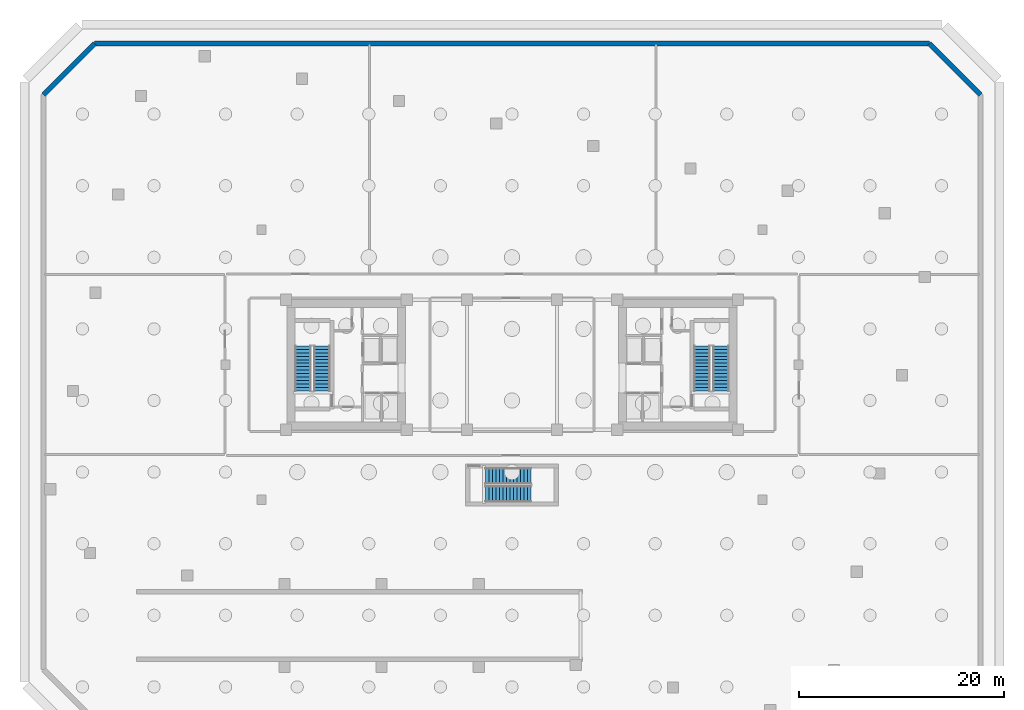
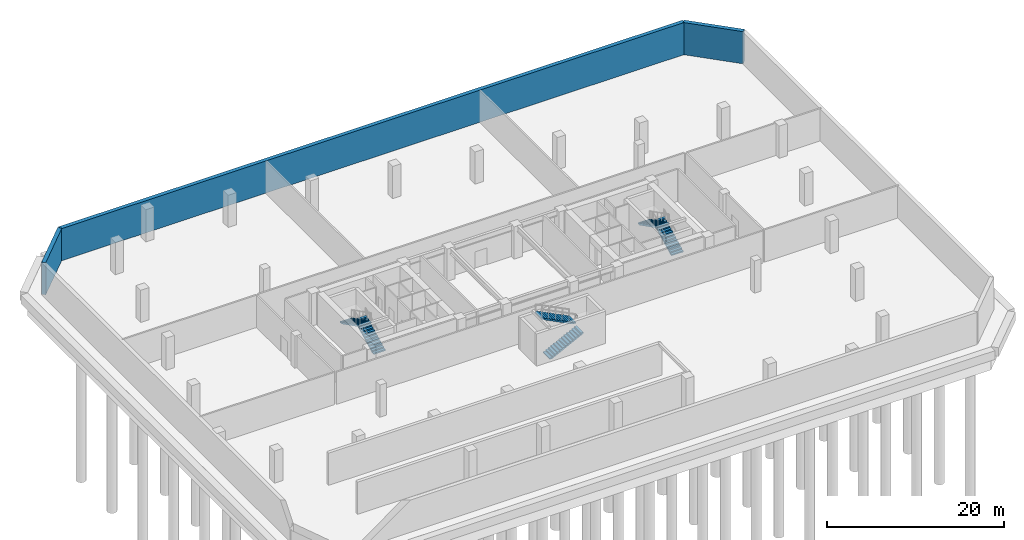
# One storey, part 7 of 10: 6 stair flights, 3 walls, 3 elements without a shape of their own.
"""IFC4 building model written with IfcOpenShell, lengths in metres."""

from ifc_helpers import new_model, si_unit, direction, frame, frame_2d, origin, place, context, subcontext, project, spatial, polyline, rectangle, outline, extrude, material, layer, layer_set, type_object, element, aggregate, save


model = new_model("IFC4")

# Units and contexts
model_context = context("Model", 3, precision=1e-05, world=origin(), true_north=direction((0.0, 1.0)))
body_context = subcontext(model_context, "Body", "Model", "MODEL_VIEW")
ifc_project = project(units=[si_unit("LENGTHUNIT", "METRE"), si_unit("AREAUNIT", "SQUARE_METRE"), si_unit("VOLUMEUNIT", "CUBIC_METRE"), si_unit("PLANEANGLEUNIT", "RADIAN"), si_unit("MASSUNIT", "GRAM", prefix="KILO")], contexts=[model_context])

# Site, building, storey
site_placement = place(None, origin())
site = spatial("IfcSite", under=ifc_project, at=site_placement, CompositionType="ELEMENT")
building_placement = place(site_placement, origin())
building = spatial("IfcBuilding", under=site, at=building_placement, Name="Tavrogorsk Clinical Tower", CompositionType="ELEMENT")
storey_placement = place(building_placement, frame((0.0, 0.0, -10.199951171875)))
storey = spatial("IfcBuildingStorey", under=building, at=storey_placement, Name="B2", CompositionType="ELEMENT", Elevation=-10.199951171875)

# Walls
ifc_material_1 = material(Name="Concrete B60", Category="concrete")
ifc_layer = layer(ifc_material_1, 0.5)
ifc_layer_set = layer_set([ifc_layer], Name="Concrete B60")
wall_type = type_object("IfcWallType", Name="ShearWall_500", PredefinedType="SHEAR", material=ifc_layer_set)
wall_1_placement = place(storey_placement, frame((45.800048828125, 26.39990234375, 0.0), z_axis=(0.0, 0.0, 1.0), x_axis=(-0.707106781187, 0.707106781187, 0.0)))
element("IfcWall", 1, at=wall_1_placement, inside=storey, type_object=wall_type, Name="B2 Retaining Wall 4", PredefinedType="SHEAR", context=body_context, shape_type="SweptSolid", body=[
    extrude(rectangle(XDim=7.071044921875, YDim=0.5, at=frame_2d((3.53564453125, 0.0))), origin(), (0.0, 0.0, 1.0), 4.449951171875),
])
wall_2_placement = place(storey_placement, frame((40.800048828125, 31.39990234375, 0.0), z_axis=(0.0, 0.0, 1.0), x_axis=(-1.0, 0.0, 0.0)))
element("IfcWall", 2, at=wall_2_placement, inside=storey, type_object=wall_type, Name="B2 Retaining Wall 5", PredefinedType="SHEAR", context=body_context, shape_type="SweptSolid", body=[
    extrude(rectangle(XDim=81.60009765625, YDim=0.5, at=frame_2d((40.800048828125, 0.0))), origin(), (0.0, 0.0, 1.0), 4.449951171875),
])
wall_3_placement = place(storey_placement, frame((-40.800048828125, 31.39990234375, 0.0), z_axis=(0.0, 0.0, 1.0), x_axis=(-0.707106781187, -0.707106781187, 0.0)))
element("IfcWall", 3, at=wall_3_placement, inside=storey, type_object=wall_type, Name="B2 Retaining Wall 6", PredefinedType="SHEAR", context=body_context, shape_type="SweptSolid", body=[
    extrude(rectangle(XDim=7.071044921875, YDim=0.5, at=frame_2d((3.53564453125, 0.0))), origin(), (0.0, 0.0, 1.0), 4.449951171875),
])

# Stair, stair flights
ifc_material_2 = material(Name="Concrete B60", Category="concrete")
stair_type = type_object("IfcStairType", Name="CoreStairAssembly", PredefinedType="HALF_TURN_STAIR", material=ifc_material_2)
stair_1_placement = place(storey_placement, origin())
stair_1 = element("IfcStair", 4, at=stair_1_placement, inside=storey, type_object=stair_type, Name="B2 ST-W", PredefinedType="HALF_TURN_STAIR")
ifc_material_3 = material(Name="Concrete B60", Category="concrete")
stair_flight_type = type_object("IfcStairFlightType", Name="CoreStairFlight", PredefinedType="STRAIGHT", material=ifc_material_3)
stair_flight_1_placement = place(storey_placement, frame((-18.574951171875, -2.574951171875, 0.0), z_axis=(0.0, 0.0, 1.0), x_axis=(0.0, 1.0, 0.0)))
stair_flight_1 = element("IfcStairFlight", 5, at=stair_flight_1_placement, type_object=stair_flight_type, Name="ST-W flight 1", NumberOfRisers=14, NumberOfTreads=13, PredefinedType="STRAIGHT", RiserHeight=0.171428571, TreadLength=0.34, context=body_context, shape_type="SweptSolid", body=[
    extrude(outline(polyline([(0.0, 0.0), (0.0, 0.17138671875), (0.340087890625, 0.17138671875), (0.340087890625, 0.3427734375), (0.679931640625, 0.3427734375), (0.679931640625, 0.514404296875), (1.02001953125, 0.514404296875), (1.02001953125, 0.685791015625), (1.360107421875, 0.685791015625), (1.360107421875, 0.857177734375), (1.699951171875, 0.857177734375), (1.699951171875, 1.028564453125), (2.0400390625, 1.028564453125), (2.0400390625, 1.199951171875), (2.3798828125, 1.199951171875), (2.3798828125, 1.371337890625), (2.719970703125, 1.371337890625), (2.719970703125, 1.54296875), (3.06005859375, 1.54296875), (3.06005859375, 1.71435546875), (3.39990234375, 1.71435546875), (3.39990234375, 1.8857421875), (3.739990234375, 1.8857421875), (3.739990234375, 2.05712890625), (4.080078125, 2.05712890625), (4.080078125, 2.228515625), (4.419921875, 2.228515625), (4.419921875, 2.39990234375), (4.419921875, 2.060791015625), (0.3330078125, 0.0), (0.0, 0.0)])), frame((0.0, 0.77490234375, 0.0), z_axis=(0.0, -1.0, 0.0), x_axis=(1.0, 0.0, 0.0)), (0.0, 0.0, 1.0), 1.550048828125),
])
stair_flight_2_placement = place(storey_placement, frame((-20.425048828125, 1.844970703125, 2.39990234375), z_axis=(0.0, 0.0, 1.0), x_axis=(0.0, -1.0, 0.0)))
stair_flight_2 = element("IfcStairFlight", 6, at=stair_flight_2_placement, type_object=stair_flight_type, Name="ST-W flight 2", NumberOfRisers=14, NumberOfTreads=13, PredefinedType="STRAIGHT", RiserHeight=0.171428571, TreadLength=0.34, context=body_context, shape_type="SweptSolid", body=[
    extrude(outline(polyline([(0.0, 0.0), (0.0, 0.17138671875), (0.340087890625, 0.17138671875), (0.340087890625, 0.3427734375), (0.679931640625, 0.3427734375), (0.679931640625, 0.514404296875), (1.02001953125, 0.514404296875), (1.02001953125, 0.685791015625), (1.360107421875, 0.685791015625), (1.360107421875, 0.857177734375), (1.699951171875, 0.857177734375), (1.699951171875, 1.028564453125), (2.0400390625, 1.028564453125), (2.0400390625, 1.199951171875), (2.3798828125, 1.199951171875), (2.3798828125, 1.371337890625), (2.719970703125, 1.371337890625), (2.719970703125, 1.54296875), (3.06005859375, 1.54296875), (3.06005859375, 1.71435546875), (3.39990234375, 1.71435546875), (3.39990234375, 1.8857421875), (3.739990234375, 1.8857421875), (3.739990234375, 2.05712890625), (4.080078125, 2.05712890625), (4.080078125, 2.228515625), (4.419921875, 2.228515625), (4.419921875, 2.39990234375), (4.419921875, 2.060791015625), (0.3330078125, 0.0), (0.0, 0.0)])), frame((0.0, 0.77490234375, 0.0), z_axis=(0.0, -1.0, 0.0), x_axis=(1.0, 0.0, 0.0)), (0.0, 0.0, 1.0), 1.550048828125),
])
aggregate(stair_1, [stair_flight_1, stair_flight_2])

stair_2_placement = place(storey_placement, origin())
stair_2 = element("IfcStair", 7, at=stair_2_placement, inside=storey, type_object=stair_type, Name="B2 ST-E", PredefinedType="HALF_TURN_STAIR")
stair_flight_3_placement = place(storey_placement, frame((20.425048828125, -2.574951171875, 0.0), z_axis=(0.0, 0.0, 1.0), x_axis=(0.0, 1.0, 0.0)))
stair_flight_3 = element("IfcStairFlight", 8, at=stair_flight_3_placement, type_object=stair_flight_type, Name="ST-E flight 1", NumberOfRisers=14, NumberOfTreads=13, PredefinedType="STRAIGHT", RiserHeight=0.171428571, TreadLength=0.34, context=body_context, shape_type="SweptSolid", body=[
    extrude(outline(polyline([(0.0, 0.0), (0.0, 0.17138671875), (0.340087890625, 0.17138671875), (0.340087890625, 0.3427734375), (0.679931640625, 0.3427734375), (0.679931640625, 0.514404296875), (1.02001953125, 0.514404296875), (1.02001953125, 0.685791015625), (1.360107421875, 0.685791015625), (1.360107421875, 0.857177734375), (1.699951171875, 0.857177734375), (1.699951171875, 1.028564453125), (2.0400390625, 1.028564453125), (2.0400390625, 1.199951171875), (2.3798828125, 1.199951171875), (2.3798828125, 1.371337890625), (2.719970703125, 1.371337890625), (2.719970703125, 1.54296875), (3.06005859375, 1.54296875), (3.06005859375, 1.71435546875), (3.39990234375, 1.71435546875), (3.39990234375, 1.8857421875), (3.739990234375, 1.8857421875), (3.739990234375, 2.05712890625), (4.080078125, 2.05712890625), (4.080078125, 2.228515625), (4.419921875, 2.228515625), (4.419921875, 2.39990234375), (4.419921875, 2.060791015625), (0.3330078125, 0.0), (0.0, 0.0)])), frame((0.0, 0.77490234375, 0.0), z_axis=(0.0, -1.0, 0.0), x_axis=(1.0, 0.0, 0.0)), (0.0, 0.0, 1.0), 1.550048828125),
])
stair_flight_4_placement = place(storey_placement, frame((18.574951171875, 1.844970703125, 2.39990234375), z_axis=(0.0, 0.0, 1.0), x_axis=(0.0, -1.0, 0.0)))
stair_flight_4 = element("IfcStairFlight", 9, at=stair_flight_4_placement, type_object=stair_flight_type, Name="ST-E flight 2", NumberOfRisers=14, NumberOfTreads=13, PredefinedType="STRAIGHT", RiserHeight=0.171428571, TreadLength=0.34, context=body_context, shape_type="SweptSolid", body=[
    extrude(outline(polyline([(0.0, 0.0), (0.0, 0.17138671875), (0.340087890625, 0.17138671875), (0.340087890625, 0.3427734375), (0.679931640625, 0.3427734375), (0.679931640625, 0.514404296875), (1.02001953125, 0.514404296875), (1.02001953125, 0.685791015625), (1.360107421875, 0.685791015625), (1.360107421875, 0.857177734375), (1.699951171875, 0.857177734375), (1.699951171875, 1.028564453125), (2.0400390625, 1.028564453125), (2.0400390625, 1.199951171875), (2.3798828125, 1.199951171875), (2.3798828125, 1.371337890625), (2.719970703125, 1.371337890625), (2.719970703125, 1.54296875), (3.06005859375, 1.54296875), (3.06005859375, 1.71435546875), (3.39990234375, 1.71435546875), (3.39990234375, 1.8857421875), (3.739990234375, 1.8857421875), (3.739990234375, 2.05712890625), (4.080078125, 2.05712890625), (4.080078125, 2.228515625), (4.419921875, 2.228515625), (4.419921875, 2.39990234375), (4.419921875, 2.060791015625), (0.3330078125, 0.0), (0.0, 0.0)])), frame((0.0, 0.77490234375, 0.0), z_axis=(0.0, -1.0, 0.0), x_axis=(1.0, 0.0, 0.0)), (0.0, 0.0, 1.0), 1.550048828125),
])
aggregate(stair_2, [stair_flight_3, stair_flight_4])

stair_3_placement = place(storey_placement, origin())
stair_3 = element("IfcStair", 10, at=stair_3_placement, inside=storey, type_object=stair_type, Name="B2 ST-P", PredefinedType="HALF_TURN_STAIR")
stair_flight_5_placement = place(storey_placement, frame((-2.574951171875, -12.625, 0.0), z_axis=(0.0, 0.0, 1.0), x_axis=(1.0, 0.0, 0.0)))
stair_flight_5 = element("IfcStairFlight", 11, at=stair_flight_5_placement, type_object=stair_flight_type, Name="ST-P flight 1", NumberOfRisers=14, NumberOfTreads=13, PredefinedType="STRAIGHT", RiserHeight=0.171428571, TreadLength=0.34, context=body_context, shape_type="SweptSolid", body=[
    extrude(outline(polyline([(0.0, 0.0), (0.0, 0.17138671875), (0.340087890625, 0.17138671875), (0.340087890625, 0.3427734375), (0.679931640625, 0.3427734375), (0.679931640625, 0.514404296875), (1.02001953125, 0.514404296875), (1.02001953125, 0.685791015625), (1.360107421875, 0.685791015625), (1.360107421875, 0.857177734375), (1.699951171875, 0.857177734375), (1.699951171875, 1.028564453125), (2.0400390625, 1.028564453125), (2.0400390625, 1.199951171875), (2.3798828125, 1.199951171875), (2.3798828125, 1.371337890625), (2.719970703125, 1.371337890625), (2.719970703125, 1.54296875), (3.06005859375, 1.54296875), (3.06005859375, 1.71435546875), (3.39990234375, 1.71435546875), (3.39990234375, 1.8857421875), (3.739990234375, 1.8857421875), (3.739990234375, 2.05712890625), (4.080078125, 2.05712890625), (4.080078125, 2.228515625), (4.419921875, 2.228515625), (4.419921875, 2.39990234375), (4.419921875, 2.060791015625), (0.3330078125, 0.0), (0.0, 0.0)])), frame((0.0, 0.77490234375, 0.0), z_axis=(0.0, -1.0, 0.0), x_axis=(1.0, 0.0, 0.0)), (0.0, 0.0, 1.0), 1.550048828125),
])
stair_flight_6_placement = place(storey_placement, frame((1.844970703125, -10.875, 2.39990234375), z_axis=(0.0, 0.0, 1.0), x_axis=(-1.0, 0.0, 0.0)))
stair_flight_6 = element("IfcStairFlight", 12, at=stair_flight_6_placement, type_object=stair_flight_type, Name="ST-P flight 2", NumberOfRisers=14, NumberOfTreads=13, PredefinedType="STRAIGHT", RiserHeight=0.171428571, TreadLength=0.34, context=body_context, shape_type="SweptSolid", body=[
    extrude(outline(polyline([(0.0, 0.0), (0.0, 0.17138671875), (0.340087890625, 0.17138671875), (0.340087890625, 0.3427734375), (0.679931640625, 0.3427734375), (0.679931640625, 0.514404296875), (1.02001953125, 0.514404296875), (1.02001953125, 0.685791015625), (1.360107421875, 0.685791015625), (1.360107421875, 0.857177734375), (1.699951171875, 0.857177734375), (1.699951171875, 1.028564453125), (2.0400390625, 1.028564453125), (2.0400390625, 1.199951171875), (2.3798828125, 1.199951171875), (2.3798828125, 1.371337890625), (2.719970703125, 1.371337890625), (2.719970703125, 1.54296875), (3.06005859375, 1.54296875), (3.06005859375, 1.71435546875), (3.39990234375, 1.71435546875), (3.39990234375, 1.8857421875), (3.739990234375, 1.8857421875), (3.739990234375, 2.05712890625), (4.080078125, 2.05712890625), (4.080078125, 2.228515625), (4.419921875, 2.228515625), (4.419921875, 2.39990234375), (4.419921875, 2.060791015625), (0.3330078125, 0.0), (0.0, 0.0)])), frame((0.0, 0.77490234375, 0.0), z_axis=(0.0, -1.0, 0.0), x_axis=(1.0, 0.0, 0.0)), (0.0, 0.0, 1.0), 1.550048828125),
])
aggregate(stair_3, [stair_flight_5, stair_flight_6])

save(model, "model.ifc")
